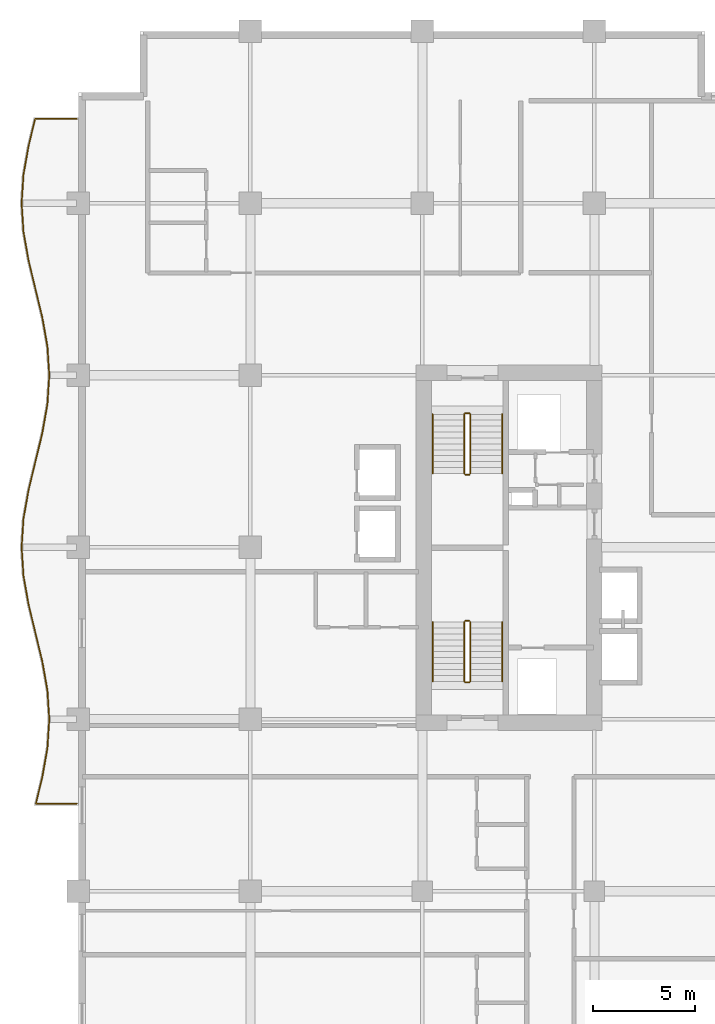
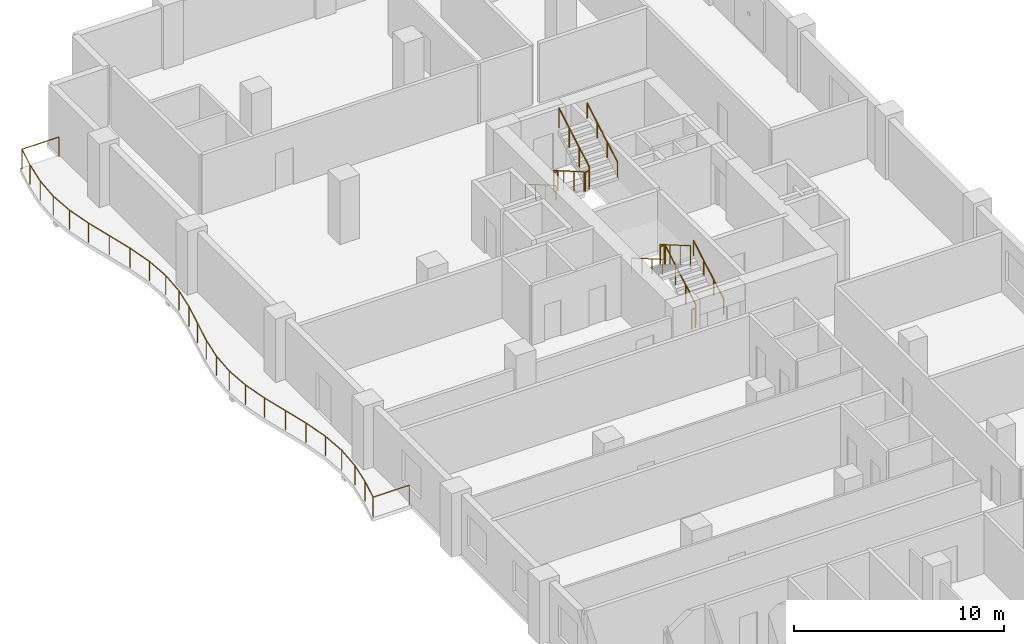
# One storey, part 21 of 22: 13 railings.
"""IFC4 building model written with IfcOpenShell, lengths in metres."""

from ifc_helpers import new_model, si_unit, direction, frame, origin, origin_2d, place, context, subcontext, project, spatial, circle, extrude, material, type_object, element, save


model = new_model("IFC4")

# Units and contexts
model_context = context("Model", 3, precision=1e-05, world=origin(), true_north=direction((0.0, 1.0)))
body_context = subcontext(model_context, "Body", "Model", "MODEL_VIEW")
ifc_project = project(units=[si_unit("LENGTHUNIT", "METRE"), si_unit("AREAUNIT", "SQUARE_METRE"), si_unit("VOLUMEUNIT", "CUBIC_METRE"), si_unit("PLANEANGLEUNIT", "RADIAN"), si_unit("MASSUNIT", "GRAM", prefix="KILO")], contexts=[model_context])

# Site, building, storey
site_placement = place(None, origin())
site = spatial("IfcSite", under=ifc_project, at=site_placement, CompositionType="ELEMENT")
building_placement = place(site_placement, origin())
building = spatial("IfcBuilding", under=site, at=building_placement, Name="Koriwani Terraces Tower", CompositionType="ELEMENT")
storey_placement = place(building_placement, frame((0.0, 0.0, 182.800048828125)))
storey = spatial("IfcBuildingStorey", under=building, at=storey_placement, Name="L44", CompositionType="ELEMENT", Elevation=182.800048828125)

# Railings
ifc_material = material(Name="Steel ASTM A572 Grade 50", Category="steel")
railing_type_1 = type_object("IfcRailingType", Name="GUARD_BALUSTRADE_1150", PredefinedType="BALUSTRADE", material=ifc_material)
railing_1_placement = place(storey_placement, frame((-0.080078125, 37.8798828125, 0.0)))
element("IfcRailing", 1, at=railing_1_placement, inside=storey, type_object=railing_type_1, Name="L44 Balcony Perimeter Safety Balustrade (W)", PredefinedType="BALUSTRADE", context=body_context, shape_type="SweptSolid", body=[
    extrude(circle(Radius=0.02392578125, at=origin_2d()), frame((0.0, 0.0, 1.1259765625), z_axis=(-1.0, 0.0, 0.0), x_axis=(0.0, -1.0, 0.0)), (0.0, 0.0, 1.0), 1.993408203125),
    extrude(circle(Radius=0.02392578125, at=origin_2d()), frame((-1.993408203125, 0.0, 1.1259765625), z_axis=(0.234302390999, 0.972163766848, 0.0), x_axis=(-0.972163766848, 0.234302390999, 0.0)), (0.0, 0.0, 1.0), 1.341064453125),
    extrude(circle(Radius=0.02392578125, at=origin_2d()), frame((-1.67919921875, 1.3037109375, 1.1259765625), z_axis=(0.173785333909, 0.984783558818, 0.0), x_axis=(-0.984783558818, 0.173785333909, 0.0)), (0.0, 0.0, 1.0), 1.4287109375),
    extrude(circle(Radius=0.02392578125, at=origin_2d()), frame((-1.430908203125, 2.710693359375, 1.1259765625), z_axis=(0.064304534842, 0.997930321615, 0.0), x_axis=(-0.997930321615, 0.064304534842, 0.0)), (0.0, 0.0, 1.0), 1.412353515625),
    extrude(circle(Radius=0.02392578125, at=origin_2d()), frame((-1.340087890625, 4.1201171875, 1.1259765625), z_axis=(-0.064304534842, 0.997930321615, 0.0), x_axis=(-0.997930321615, -0.064304534842, 0.0)), (0.0, 0.0, 1.0), 1.412353515625),
    extrude(circle(Radius=0.02392578125, at=origin_2d()), frame((-1.430908203125, 5.529541015625, 1.1259765625), z_axis=(-0.173785333909, 0.984783558818, 0.0), x_axis=(-0.984783558818, -0.173785333909, 0.0)), (0.0, 0.0, 1.0), 1.4287109375),
    extrude(circle(Radius=0.02392578125, at=origin_2d()), frame((-1.67919921875, 6.9365234375, 1.1259765625), z_axis=(-0.234309052487, 0.97216216133, 0.0), x_axis=(-0.97216216133, -0.234309052487, 0.0)), (0.0, 0.0, 1.0), 2.8798828125),
    extrude(circle(Radius=0.02392578125, at=origin_2d()), frame((-2.35400390625, 9.736328125, 1.1259765625), z_axis=(-0.173932985997, 0.984757491153, 0.0), x_axis=(-0.984757491153, -0.173932985997, 0.0)), (0.0, 0.0, 1.0), 1.414794921875),
    extrude(circle(Radius=0.02392578125, at=origin_2d()), frame((-2.60009765625, 11.129638671875, 1.1259765625), z_axis=(-0.064309099225, 0.997930027485, 0.0), x_axis=(-0.997930027485, -0.064309099225, 0.0)), (0.0, 0.0, 1.0), 1.393310546875),
    extrude(circle(Radius=0.02392578125, at=origin_2d()), frame((-2.689697265625, 12.52001953125, 1.1259765625), z_axis=(0.064309099225, 0.997930027485, 0.0), x_axis=(-0.997930027485, 0.064309099225, 0.0)), (0.0, 0.0, 1.0), 1.393310546875),
    extrude(circle(Radius=0.02392578125, at=origin_2d()), frame((-2.60009765625, 13.910400390625, 1.1259765625), z_axis=(0.173932985997, 0.984757491153, 0.0), x_axis=(-0.984757491153, 0.173932985997, 0.0)), (0.0, 0.0, 1.0), 1.414794921875),
    extrude(circle(Radius=0.02392578125, at=origin_2d()), frame((-2.35400390625, 15.3037109375, 1.1259765625), z_axis=(0.234289744186, 0.972166814785, 0.0), x_axis=(-0.972166814785, 0.234289744186, 0.0)), (0.0, 0.0, 1.0), 2.880126953125),
    extrude(circle(Radius=0.02392578125, at=origin_2d()), frame((-1.67919921875, 18.103759765625, 1.1259765625), z_axis=(0.173814583381, 0.984778396698, 0.0), x_axis=(-0.984778396698, 0.173814583381, 0.0)), (0.0, 0.0, 1.0), 1.428466796875),
    extrude(circle(Radius=0.02392578125, at=origin_2d()), frame((-1.430908203125, 19.510498046875, 1.1259765625), z_axis=(0.064293443969, 0.997931036226, 0.0), x_axis=(-0.997931036226, 0.064293443969, 0.0)), (0.0, 0.0, 1.0), 1.41259765625),
    extrude(circle(Radius=0.02392578125, at=origin_2d()), frame((-1.340087890625, 20.920166015625, 1.1259765625), z_axis=(-0.064304534842, 0.997930321615, 0.0), x_axis=(-0.997930321615, -0.064304534842, 0.0)), (0.0, 0.0, 1.0), 1.412353515625),
    extrude(circle(Radius=0.02392578125, at=origin_2d()), frame((-1.430908203125, 22.32958984375, 1.1259765625), z_axis=(-0.173814583381, 0.984778396698, 0.0), x_axis=(-0.984778396698, -0.173814583381, 0.0)), (0.0, 0.0, 1.0), 1.428466796875),
    extrude(circle(Radius=0.02392578125, at=origin_2d()), frame((-1.67919921875, 23.736328125, 1.1259765625), z_axis=(-0.234289744186, 0.972166814785, 0.0), x_axis=(-0.972166814785, -0.234289744186, 0.0)), (0.0, 0.0, 1.0), 2.880126953125),
    extrude(circle(Radius=0.02392578125, at=origin_2d()), frame((-2.35400390625, 26.536376953125, 1.1259765625), z_axis=(-0.173932985997, 0.984757491153, 0.0), x_axis=(-0.984757491153, -0.173932985997, 0.0)), (0.0, 0.0, 1.0), 1.414794921875),
    extrude(circle(Radius=0.02392578125, at=origin_2d()), frame((-2.60009765625, 27.9296875, 1.1259765625), z_axis=(-0.064309099225, 0.997930027485, 0.0), x_axis=(-0.997930027485, -0.064309099225, 0.0)), (0.0, 0.0, 1.0), 1.393310546875),
    extrude(circle(Radius=0.02392578125, at=origin_2d()), frame((-2.689697265625, 29.320068359375, 1.1259765625), z_axis=(0.064309099225, 0.997930027485, 0.0), x_axis=(-0.997930027485, 0.064309099225, 0.0)), (0.0, 0.0, 1.0), 1.393310546875),
    extrude(circle(Radius=0.02392578125, at=origin_2d()), frame((-2.60009765625, 30.71044921875, 1.1259765625), z_axis=(0.173932985997, 0.984757491153, 0.0), x_axis=(-0.984757491153, 0.173932985997, 0.0)), (0.0, 0.0, 1.0), 1.414794921875),
    extrude(circle(Radius=0.02392578125, at=origin_2d()), frame((-2.35400390625, 32.103759765625, 1.1259765625), z_axis=(0.234252790362, 0.97217571982, 0.0), x_axis=(-0.97217571982, 0.234252790362, 0.0)), (0.0, 0.0, 1.0), 1.374755859375),
    extrude(circle(Radius=0.02392578125, at=origin_2d()), frame((-2.031982421875, 33.440185546875, 1.1259765625), z_axis=(1.0, 0.0, 0.0), x_axis=(0.0, 1.0, 0.0)), (0.0, 0.0, 1.0), 2.031982421875),
    extrude(circle(Radius=0.02099609375, at=origin_2d()), origin(), (0.0, 0.0, 1.0), 1.101806640625),
    extrude(circle(Radius=0.02099609375, at=origin_2d()), frame((-1.993408203125, 0.0, 0.0)), (0.0, 0.0, 1.0), 1.101806640625),
    extrude(circle(Radius=0.02099609375, at=origin_2d()), frame((-1.67919921875, 1.3037109375, 0.0)), (0.0, 0.0, 1.0), 1.101806640625),
    extrude(circle(Radius=0.02099609375, at=origin_2d()), frame((-1.430908203125, 2.710693359375, 0.0)), (0.0, 0.0, 1.0), 1.101806640625),
    extrude(circle(Radius=0.02099609375, at=origin_2d()), frame((-1.340087890625, 4.1201171875, 0.0)), (0.0, 0.0, 1.0), 1.101806640625),
    extrude(circle(Radius=0.02099609375, at=origin_2d()), frame((-1.430908203125, 5.529541015625, 0.0)), (0.0, 0.0, 1.0), 1.101806640625),
    extrude(circle(Radius=0.02099609375, at=origin_2d()), frame((-1.67919921875, 6.9365234375, 0.0)), (0.0, 0.0, 1.0), 1.101806640625),
    extrude(circle(Radius=0.02099609375, at=origin_2d()), frame((-2.0166015625, 8.33642578125, 0.0)), (0.0, 0.0, 1.0), 1.101806640625),
    extrude(circle(Radius=0.02099609375, at=origin_2d()), frame((-2.35400390625, 9.736328125, 0.0)), (0.0, 0.0, 1.0), 1.101806640625),
    extrude(circle(Radius=0.02099609375, at=origin_2d()), frame((-2.60009765625, 11.129638671875, 0.0)), (0.0, 0.0, 1.0), 1.101806640625),
    extrude(circle(Radius=0.02099609375, at=origin_2d()), frame((-2.689697265625, 12.52001953125, 0.0)), (0.0, 0.0, 1.0), 1.101806640625),
    extrude(circle(Radius=0.02099609375, at=origin_2d()), frame((-2.60009765625, 13.910400390625, 0.0)), (0.0, 0.0, 1.0), 1.101806640625),
    extrude(circle(Radius=0.02099609375, at=origin_2d()), frame((-2.35400390625, 15.3037109375, 0.0)), (0.0, 0.0, 1.0), 1.101806640625),
    extrude(circle(Radius=0.02099609375, at=origin_2d()), frame((-2.0166015625, 16.70361328125, 0.0)), (0.0, 0.0, 1.0), 1.101806640625),
    extrude(circle(Radius=0.02099609375, at=origin_2d()), frame((-1.67919921875, 18.103759765625, 0.0)), (0.0, 0.0, 1.0), 1.101806640625),
    extrude(circle(Radius=0.02099609375, at=origin_2d()), frame((-1.430908203125, 19.510498046875, 0.0)), (0.0, 0.0, 1.0), 1.101806640625),
    extrude(circle(Radius=0.02099609375, at=origin_2d()), frame((-1.340087890625, 20.920166015625, 0.0)), (0.0, 0.0, 1.0), 1.101806640625),
    extrude(circle(Radius=0.02099609375, at=origin_2d()), frame((-1.430908203125, 22.32958984375, 0.0)), (0.0, 0.0, 1.0), 1.101806640625),
    extrude(circle(Radius=0.02099609375, at=origin_2d()), frame((-1.67919921875, 23.736328125, 0.0)), (0.0, 0.0, 1.0), 1.101806640625),
    extrude(circle(Radius=0.02099609375, at=origin_2d()), frame((-2.0166015625, 25.13623046875, 0.0)), (0.0, 0.0, 1.0), 1.101806640625),
    extrude(circle(Radius=0.02099609375, at=origin_2d()), frame((-2.35400390625, 26.536376953125, 0.0)), (0.0, 0.0, 1.0), 1.101806640625),
    extrude(circle(Radius=0.02099609375, at=origin_2d()), frame((-2.60009765625, 27.9296875, 0.0)), (0.0, 0.0, 1.0), 1.101806640625),
    extrude(circle(Radius=0.02099609375, at=origin_2d()), frame((-2.689697265625, 29.320068359375, 0.0)), (0.0, 0.0, 1.0), 1.101806640625),
    extrude(circle(Radius=0.02099609375, at=origin_2d()), frame((-2.60009765625, 30.71044921875, 0.0)), (0.0, 0.0, 1.0), 1.101806640625),
    extrude(circle(Radius=0.02099609375, at=origin_2d()), frame((-2.35400390625, 32.103759765625, 0.0)), (0.0, 0.0, 1.0), 1.101806640625),
    extrude(circle(Radius=0.02099609375, at=origin_2d()), frame((-2.031982421875, 33.440185546875, 0.0)), (0.0, 0.0, 1.0), 1.101806640625),
    extrude(circle(Radius=0.02099609375, at=origin_2d()), frame((0.0, 33.440185546875, 0.0)), (0.0, 0.0, 1.0), 1.101806640625),
])
railing_type_2 = type_object("IfcRailingType", Name="GUARD_STAIR_WELL_1120", PredefinedType="GUARDRAIL", material=ifc_material)
railing_2_placement = place(storey_placement, frame((19.14990234375, 43.85009765625, 0.168212890625)))
element("IfcRailing", 2, at=railing_2_placement, inside=storey, type_object=railing_type_2, Name="L44 ST-W1 stair guard 1", PredefinedType="GUARDRAIL", context=body_context, shape_type="SweptSolid", body=[
    extrude(circle(Radius=0.02392578125, at=origin_2d()), frame((0.0, 0.0, 1.1259765625), z_axis=(0.0, 0.86507038078, 0.501650512107), x_axis=(-1.0, 0.0, 0.0)), (0.0, 0.0, 1.0), 3.352294921875),
    extrude(circle(Radius=0.02099609375, at=origin_2d()), origin(), (0.0, 0.0, 1.0), 1.101806640625),
    extrude(circle(Radius=0.02099609375, at=origin_2d()), frame((0.0, 0.966552734375, 0.560546875)), (0.0, 0.0, 1.0), 1.101806640625),
    extrude(circle(Radius=0.02099609375, at=origin_2d()), frame((0.0, 1.933349609375, 1.12109375)), (0.0, 0.0, 1.0), 1.101806640625),
    extrude(circle(Radius=0.02099609375, at=origin_2d()), frame((0.0, 2.89990234375, 1.681640625)), (0.0, 0.0, 1.0), 1.101806640625),
])
railing_3_placement = place(storey_placement, frame((19.10009765625, 46.800048828125, 1.849853515625)))
element("IfcRailing", 3, at=railing_3_placement, inside=storey, type_object=railing_type_2, Name="L44 ST-W1 stair guard 2", PredefinedType="GUARDRAIL", context=body_context, shape_type="SweptSolid", body=[
    extrude(circle(Radius=0.02392578125, at=origin_2d()), frame((0.0, 0.0, 1.1259765625), z_axis=(-1.0, 0.0, 0.0), x_axis=(0.0, -1.0, 0.0)), (0.0, 0.0, 1.0), 0.2001953125),
    extrude(circle(Radius=0.02099609375, at=origin_2d()), origin(), (0.0, 0.0, 1.0), 1.101806640625),
    extrude(circle(Radius=0.02099609375, at=origin_2d()), frame((-0.2001953125, 0.0, 0.0)), (0.0, 0.0, 1.0), 1.101806640625),
])
railing_4_placement = place(storey_placement, frame((18.85009765625, 46.75, 2.01806640625)))
element("IfcRailing", 4, at=railing_4_placement, inside=storey, type_object=railing_type_2, Name="L44 ST-W1 stair guard 3", PredefinedType="GUARDRAIL", context=body_context, shape_type="SweptSolid", body=[
    extrude(circle(Radius=0.02392578125, at=origin_2d()), frame((0.0, 0.0, 1.1259765625), z_axis=(0.0, -0.865038774852, 0.501705010941), x_axis=(1.0, 0.0, 0.0)), (0.0, 0.0, 1.0), 3.352294921875),
    extrude(circle(Radius=0.02099609375, at=origin_2d()), origin(), (0.0, 0.0, 1.0), 1.101806640625),
    extrude(circle(Radius=0.02099609375, at=origin_2d()), frame((0.0, -0.966552734375, 0.560546875)), (0.0, 0.0, 1.0), 1.101806640625),
    extrude(circle(Radius=0.02099609375, at=origin_2d()), frame((0.0, -1.933349609375, 1.121337890625)), (0.0, 0.0, 1.0), 1.101806640625),
    extrude(circle(Radius=0.02099609375, at=origin_2d()), frame((0.0, -2.89990234375, 1.681884765625)), (0.0, 0.0, 1.0), 1.101806640625),
])
railing_5_placement = place(storey_placement, frame((19.10009765625, 43.800048828125, 0.0)))
element("IfcRailing", 5, at=railing_5_placement, inside=storey, type_object=railing_type_2, Name="L44 ST-W1 stair guard 4", PredefinedType="GUARDRAIL", context=body_context, shape_type="SweptSolid", body=[
    extrude(circle(Radius=0.02392578125, at=origin_2d()), frame((0.0, 0.0, 1.1259765625), z_axis=(-1.0, 0.0, 0.0), x_axis=(0.0, -1.0, 0.0)), (0.0, 0.0, 1.0), 0.2001953125),
    extrude(circle(Radius=0.02099609375, at=origin_2d()), origin(), (0.0, 0.0, 1.0), 1.101806640625),
    extrude(circle(Radius=0.02099609375, at=origin_2d()), frame((-0.2001953125, 0.0, 0.0)), (0.0, 0.0, 1.0), 1.101806640625),
])
railing_6_placement = place(storey_placement, frame((18.85009765625, 56.89990234375, 0.168212890625)))
element("IfcRailing", 6, at=railing_6_placement, inside=storey, type_object=railing_type_2, Name="L44 ST-W2 stair guard 1", PredefinedType="GUARDRAIL", context=body_context, shape_type="SweptSolid", body=[
    extrude(circle(Radius=0.02392578125, at=origin_2d()), frame((0.0, 0.0, 1.1259765625), z_axis=(0.0, -0.86507038078, 0.501650512107), x_axis=(1.0, 0.0, 0.0)), (0.0, 0.0, 1.0), 3.352294921875),
    extrude(circle(Radius=0.02099609375, at=origin_2d()), origin(), (0.0, 0.0, 1.0), 1.101806640625),
    extrude(circle(Radius=0.02099609375, at=origin_2d()), frame((0.0, -0.966552734375, 0.560546875)), (0.0, 0.0, 1.0), 1.101806640625),
    extrude(circle(Radius=0.02099609375, at=origin_2d()), frame((0.0, -1.933349609375, 1.12109375)), (0.0, 0.0, 1.0), 1.101806640625),
    extrude(circle(Radius=0.02099609375, at=origin_2d()), frame((0.0, -2.89990234375, 1.681640625)), (0.0, 0.0, 1.0), 1.101806640625),
])
railing_7_placement = place(storey_placement, frame((18.89990234375, 53.949951171875, 1.849853515625)))
element("IfcRailing", 7, at=railing_7_placement, inside=storey, type_object=railing_type_2, Name="L44 ST-W2 stair guard 2", PredefinedType="GUARDRAIL", context=body_context, shape_type="SweptSolid", body=[
    extrude(circle(Radius=0.02392578125, at=origin_2d()), frame((0.0, 0.0, 1.1259765625), z_axis=(1.0, 0.0, 0.0), x_axis=(0.0, 1.0, 0.0)), (0.0, 0.0, 1.0), 0.2001953125),
    extrude(circle(Radius=0.02099609375, at=origin_2d()), origin(), (0.0, 0.0, 1.0), 1.101806640625),
    extrude(circle(Radius=0.02099609375, at=origin_2d()), frame((0.2001953125, 0.0, 0.0)), (0.0, 0.0, 1.0), 1.101806640625),
])
railing_8_placement = place(storey_placement, frame((19.14990234375, 54.0, 2.01806640625)))
element("IfcRailing", 8, at=railing_8_placement, inside=storey, type_object=railing_type_2, Name="L44 ST-W2 stair guard 3", PredefinedType="GUARDRAIL", context=body_context, shape_type="SweptSolid", body=[
    extrude(circle(Radius=0.02392578125, at=origin_2d()), frame((0.0, 0.0, 1.1259765625), z_axis=(0.0, 0.865038774852, 0.501705010941), x_axis=(-1.0, 0.0, 0.0)), (0.0, 0.0, 1.0), 3.352294921875),
    extrude(circle(Radius=0.02099609375, at=origin_2d()), origin(), (0.0, 0.0, 1.0), 1.101806640625),
    extrude(circle(Radius=0.02099609375, at=origin_2d()), frame((0.0, 0.966552734375, 0.560546875)), (0.0, 0.0, 1.0), 1.101806640625),
    extrude(circle(Radius=0.02099609375, at=origin_2d()), frame((0.0, 1.933349609375, 1.121337890625)), (0.0, 0.0, 1.0), 1.101806640625),
    extrude(circle(Radius=0.02099609375, at=origin_2d()), frame((0.0, 2.89990234375, 1.681884765625)), (0.0, 0.0, 1.0), 1.101806640625),
])
railing_9_placement = place(storey_placement, frame((18.89990234375, 56.949951171875, 0.0)))
element("IfcRailing", 9, at=railing_9_placement, inside=storey, type_object=railing_type_2, Name="L44 ST-W2 stair guard 4", PredefinedType="GUARDRAIL", context=body_context, shape_type="SweptSolid", body=[
    extrude(circle(Radius=0.02392578125, at=origin_2d()), frame((0.0, 0.0, 1.1259765625), z_axis=(1.0, 0.0, 0.0), x_axis=(0.0, 1.0, 0.0)), (0.0, 0.0, 1.0), 0.2001953125),
    extrude(circle(Radius=0.02099609375, at=origin_2d()), origin(), (0.0, 0.0, 1.0), 1.101806640625),
    extrude(circle(Radius=0.02099609375, at=origin_2d()), frame((0.2001953125, 0.0, 0.0)), (0.0, 0.0, 1.0), 1.101806640625),
])
railing_type_3 = type_object("IfcRailingType", Name="HANDRAIL_STAIR_920", PredefinedType="HANDRAIL", material=ifc_material)
railing_10_placement = place(storey_placement, frame((20.699951171875, 43.85009765625, 0.168212890625)))
element("IfcRailing", 10, at=railing_10_placement, inside=storey, type_object=railing_type_3, Name="L44 ST-W1 stair handrail 1", PredefinedType="HANDRAIL", context=body_context, shape_type="SweptSolid", body=[
    extrude(circle(Radius=0.02392578125, at=origin_2d()), frame((0.0, 0.0, 0.8759765625), z_axis=(0.0, 0.86507038078, 0.501650512107), x_axis=(-1.0, 0.0, 0.0)), (0.0, 0.0, 1.0), 3.352294921875),
    extrude(circle(Radius=0.02099609375, at=origin_2d()), origin(), (0.0, 0.0, 1.0), 0.851806640625),
    extrude(circle(Radius=0.02099609375, at=origin_2d()), frame((0.0, 0.966552734375, 0.560546875)), (0.0, 0.0, 1.0), 0.851806640625),
    extrude(circle(Radius=0.02099609375, at=origin_2d()), frame((0.0, 1.933349609375, 1.12109375)), (0.0, 0.0, 1.0), 0.851806640625),
    extrude(circle(Radius=0.02099609375, at=origin_2d()), frame((0.0, 2.89990234375, 1.681640625)), (0.0, 0.0, 1.0), 0.851806640625),
])
railing_11_placement = place(storey_placement, frame((17.300048828125, 46.75, 2.01806640625)))
element("IfcRailing", 11, at=railing_11_placement, inside=storey, type_object=railing_type_3, Name="L44 ST-W1 stair handrail 2", PredefinedType="HANDRAIL", context=body_context, shape_type="SweptSolid", body=[
    extrude(circle(Radius=0.02392578125, at=origin_2d()), frame((0.0, 0.0, 0.8759765625), z_axis=(0.0, -0.865038774852, 0.501705010941), x_axis=(1.0, 0.0, 0.0)), (0.0, 0.0, 1.0), 3.352294921875),
    extrude(circle(Radius=0.02099609375, at=origin_2d()), origin(), (0.0, 0.0, 1.0), 0.851806640625),
    extrude(circle(Radius=0.02099609375, at=origin_2d()), frame((0.0, -0.966552734375, 0.560546875)), (0.0, 0.0, 1.0), 0.851806640625),
    extrude(circle(Radius=0.02099609375, at=origin_2d()), frame((0.0, -1.933349609375, 1.121337890625)), (0.0, 0.0, 1.0), 0.851806640625),
    extrude(circle(Radius=0.02099609375, at=origin_2d()), frame((0.0, -2.89990234375, 1.681884765625)), (0.0, 0.0, 1.0), 0.851806640625),
])
railing_12_placement = place(storey_placement, frame((17.300048828125, 56.89990234375, 0.168212890625)))
element("IfcRailing", 12, at=railing_12_placement, inside=storey, type_object=railing_type_3, Name="L44 ST-W2 stair handrail 1", PredefinedType="HANDRAIL", context=body_context, shape_type="SweptSolid", body=[
    extrude(circle(Radius=0.02392578125, at=origin_2d()), frame((0.0, 0.0, 0.8759765625), z_axis=(0.0, -0.86507038078, 0.501650512107), x_axis=(1.0, 0.0, 0.0)), (0.0, 0.0, 1.0), 3.352294921875),
    extrude(circle(Radius=0.02099609375, at=origin_2d()), origin(), (0.0, 0.0, 1.0), 0.851806640625),
    extrude(circle(Radius=0.02099609375, at=origin_2d()), frame((0.0, -0.966552734375, 0.560546875)), (0.0, 0.0, 1.0), 0.851806640625),
    extrude(circle(Radius=0.02099609375, at=origin_2d()), frame((0.0, -1.933349609375, 1.12109375)), (0.0, 0.0, 1.0), 0.851806640625),
    extrude(circle(Radius=0.02099609375, at=origin_2d()), frame((0.0, -2.89990234375, 1.681640625)), (0.0, 0.0, 1.0), 0.851806640625),
])
railing_13_placement = place(storey_placement, frame((20.699951171875, 54.0, 2.01806640625)))
element("IfcRailing", 13, at=railing_13_placement, inside=storey, type_object=railing_type_3, Name="L44 ST-W2 stair handrail 2", PredefinedType="HANDRAIL", context=body_context, shape_type="SweptSolid", body=[
    extrude(circle(Radius=0.02392578125, at=origin_2d()), frame((0.0, 0.0, 0.8759765625), z_axis=(0.0, 0.865038774852, 0.501705010941), x_axis=(-1.0, 0.0, 0.0)), (0.0, 0.0, 1.0), 3.352294921875),
    extrude(circle(Radius=0.02099609375, at=origin_2d()), origin(), (0.0, 0.0, 1.0), 0.851806640625),
    extrude(circle(Radius=0.02099609375, at=origin_2d()), frame((0.0, 0.966552734375, 0.560546875)), (0.0, 0.0, 1.0), 0.851806640625),
    extrude(circle(Radius=0.02099609375, at=origin_2d()), frame((0.0, 1.933349609375, 1.121337890625)), (0.0, 0.0, 1.0), 0.851806640625),
    extrude(circle(Radius=0.02099609375, at=origin_2d()), frame((0.0, 2.89990234375, 1.681884765625)), (0.0, 0.0, 1.0), 0.851806640625),
])

save(model, "model.ifc")
